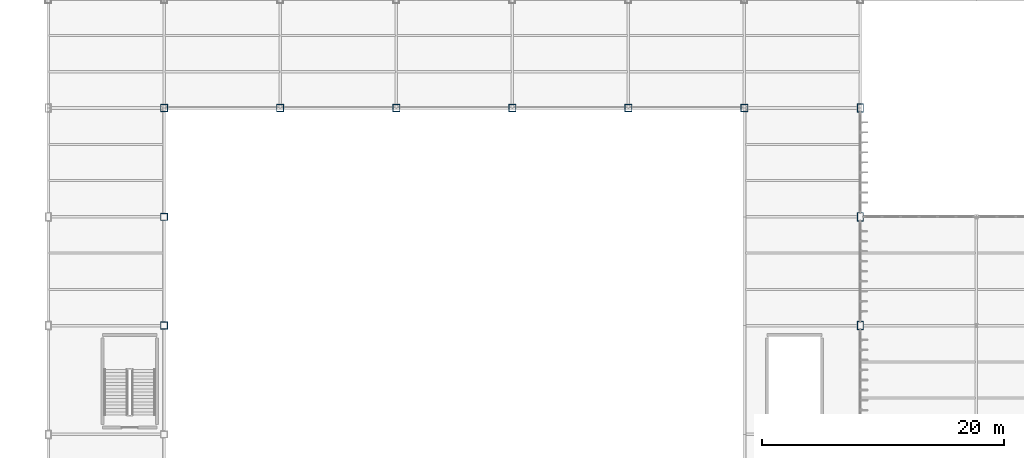
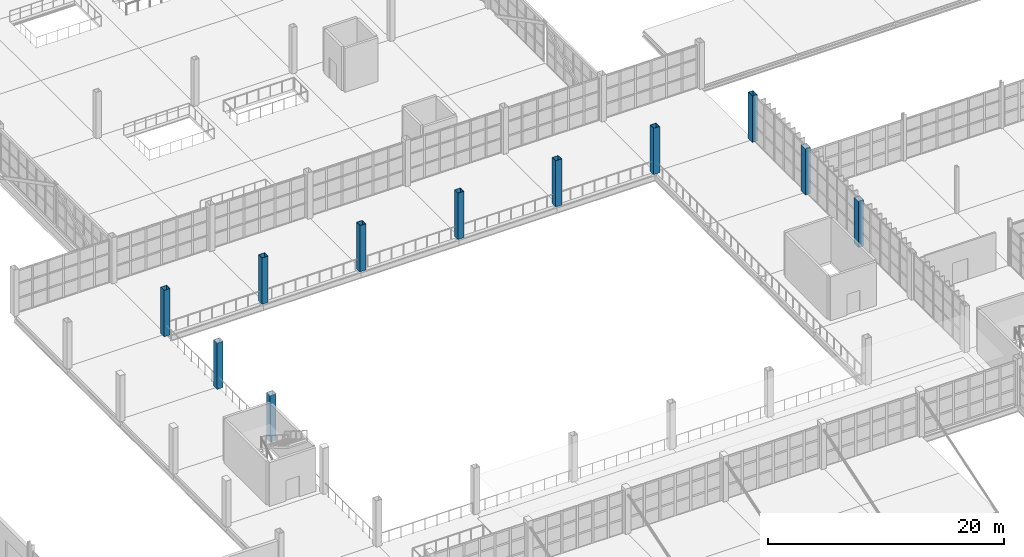
# One storey, part 7 of 120: 11 columns.
"""IFC4 building model written with IfcOpenShell, lengths in metres."""

from ifc_helpers import new_model, si_unit, direction, frame, origin, origin_2d, place, context, subcontext, project, spatial, hollow_rectangle, extrude, material, material_profile, profile_set, type_object, element, save


model = new_model("IFC4")

# Units and contexts
model_context = context("Model", 3, precision=1e-05, world=origin(), true_north=direction((0.0, 1.0)))
body_context = subcontext(model_context, "Body", "Model", "MODEL_VIEW")
ifc_project = project(units=[si_unit("LENGTHUNIT", "METRE"), si_unit("AREAUNIT", "SQUARE_METRE"), si_unit("VOLUMEUNIT", "CUBIC_METRE"), si_unit("PLANEANGLEUNIT", "RADIAN"), si_unit("MASSUNIT", "GRAM", prefix="KILO")], contexts=[model_context])

# Site, building, storey
site_placement = place(None, origin())
site = spatial("IfcSite", under=ifc_project, at=site_placement, CompositionType="ELEMENT")
building_placement = place(site_placement, origin())
building = spatial("IfcBuilding", under=site, at=building_placement, Name="Zarnetskaya Central Station", CompositionType="ELEMENT")
storey_placement = place(building_placement, frame((0.0, 0.0, 5.39990234375)))
storey = spatial("IfcBuildingStorey", under=building, at=storey_placement, Name="L01", CompositionType="ELEMENT", Elevation=5.39990234375)

# Columns
ifc_material = material(Name="Steel S355", Category="steel")
ifc_material_profile_1 = material_profile(ifc_material, hollow_rectangle(XDim=0.5, YDim=0.699951171875, WallThickness=0.031982421875, at=origin_2d()), Name="BOX 700x500x32")
ifc_profile_set_1 = profile_set([ifc_material_profile_1], Name="Steel S355")
column_type_1 = type_object("IfcColumnType", Name="COL-V2-HALL", PredefinedType="COLUMN", material=ifc_profile_set_1)
for number, where, z_axis, x_axis, name in (
    (1, (124.800048828125, 40.199951171875, 0.0), (0.0, 0.0, 1.0), (1.0, 0.0, 0.0), "Column P6 L01"),
    (2, (124.800048828125, 49.199951171875, 0.0), (0.0, 0.0, 1.0), (1.0, 0.0, 0.0), "Column P7 L01"),
):
    element("IfcColumn", number, at=place(storey_placement, frame(where, z_axis=z_axis, x_axis=x_axis)), inside=storey, type_object=column_type_1, Name=name, PredefinedType="COLUMN", context=body_context, shape_type="SweptSolid", body=[
        extrude(hollow_rectangle(XDim=0.5, YDim=0.699951171875, WallThickness=0.031982421875, at=origin_2d()), origin(), (0.0, 0.0, 1.0), 4.7880859375),
    ])
column_placement = place(storey_placement, frame((124.800048828125, 58.199951171875, 0.0), z_axis=(0.0, 0.0, 1.0), x_axis=(1.0, 0.0, 0.0)))
element("IfcColumn", 3, at=column_placement, inside=storey, type_object=column_type_1, Name="Column P8 L01", PredefinedType="COLUMN", context=body_context, shape_type="SweptSolid", body=[
    extrude(hollow_rectangle(XDim=0.5, YDim=0.699951171875, WallThickness=0.031982421875, at=origin_2d()), origin(), (0.0, 0.0, 1.0), 4.800048828125),
])
ifc_material_profile_2 = material_profile(ifc_material, hollow_rectangle(XDim=0.60009765625, YDim=0.60009765625, WallThickness=0.030029296875, at=origin_2d()), Name="BOX 600x600x30")
ifc_profile_set_2 = profile_set([ifc_material_profile_2], Name="Steel S355")
column_type_2 = type_object("IfcColumnType", Name="COL-V2-INT", PredefinedType="COLUMN", material=ifc_profile_set_2)
for number, where, z_axis, x_axis, name in (
    (4, (67.199951171875, 40.199951171875, 0.0), (0.0, 0.0, 1.0), (1.0, 0.0, 0.0), "Column H6 L01"),
    (5, (67.199951171875, 49.199951171875, 0.0), (0.0, 0.0, 1.0), (1.0, 0.0, 0.0), "Column H7 L01"),
):
    element("IfcColumn", number, at=place(storey_placement, frame(where, z_axis=z_axis, x_axis=x_axis)), inside=storey, type_object=column_type_2, Name=name, PredefinedType="COLUMN", context=body_context, shape_type="SweptSolid", body=[
        extrude(hollow_rectangle(XDim=0.60009765625, YDim=0.60009765625, WallThickness=0.030029296875, at=origin_2d()), origin(), (0.0, 0.0, 1.0), 4.7880859375),
    ])
for number, where, z_axis, x_axis, name in (
    (6, (67.199951171875, 58.199951171875, 0.0), (0.0, 0.0, 1.0), (1.0, 0.0, 0.0), "Column H8 L01"),
    (7, (76.800048828125, 58.199951171875, 0.0), (0.0, 0.0, 1.0), (1.0, 0.0, 0.0), "Column J8 L01"),
    (8, (86.39990234375, 58.199951171875, 0.0), (0.0, 0.0, 1.0), (1.0, 0.0, 0.0), "Column K8 L01"),
    (9, (96.0, 58.199951171875, 0.0), (0.0, 0.0, 1.0), (1.0, 0.0, 0.0), "Column L8 L01"),
    (10, (105.60009765625, 58.199951171875, 0.0), (0.0, 0.0, 1.0), (1.0, 0.0, 0.0), "Column M8 L01"),
    (11, (115.199951171875, 58.199951171875, 0.0), (0.0, 0.0, 1.0), (1.0, 0.0, 0.0), "Column N8 L01"),
):
    element("IfcColumn", number, at=place(storey_placement, frame(where, z_axis=z_axis, x_axis=x_axis)), inside=storey, type_object=column_type_2, Name=name, PredefinedType="COLUMN", context=body_context, shape_type="SweptSolid", body=[
        extrude(hollow_rectangle(XDim=0.60009765625, YDim=0.60009765625, WallThickness=0.030029296875, at=origin_2d()), origin(), (0.0, 0.0, 1.0), 4.800048828125),
    ])

save(model, "model.ifc")
